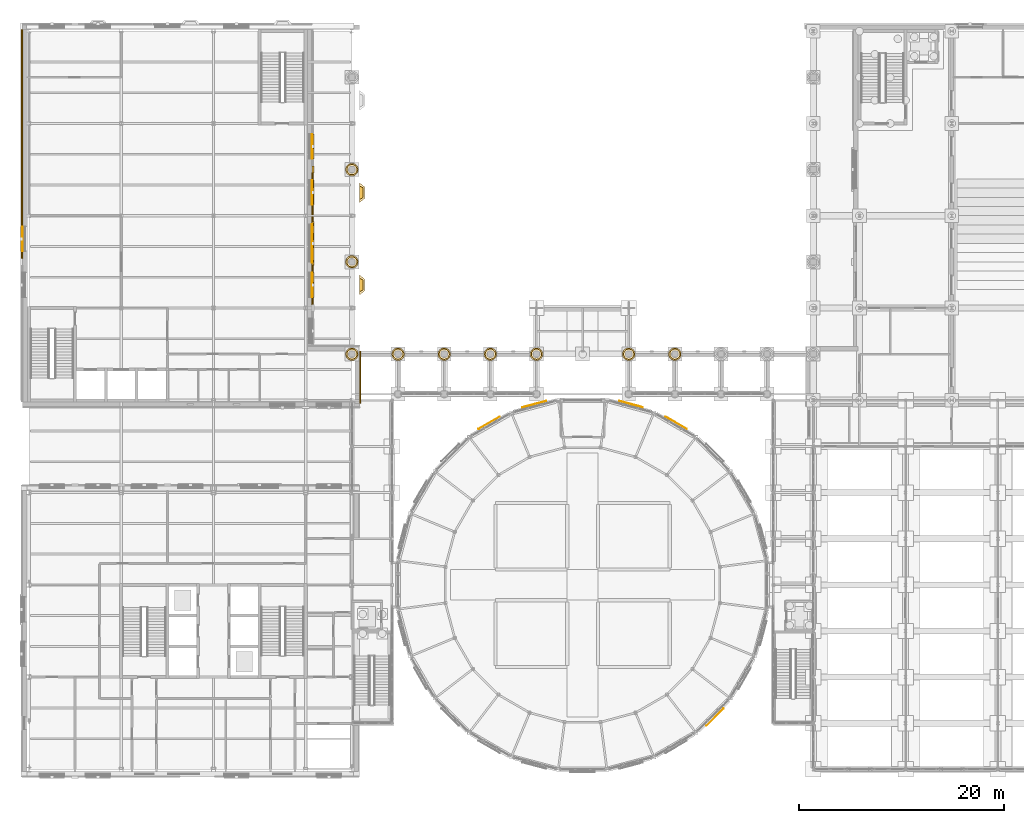
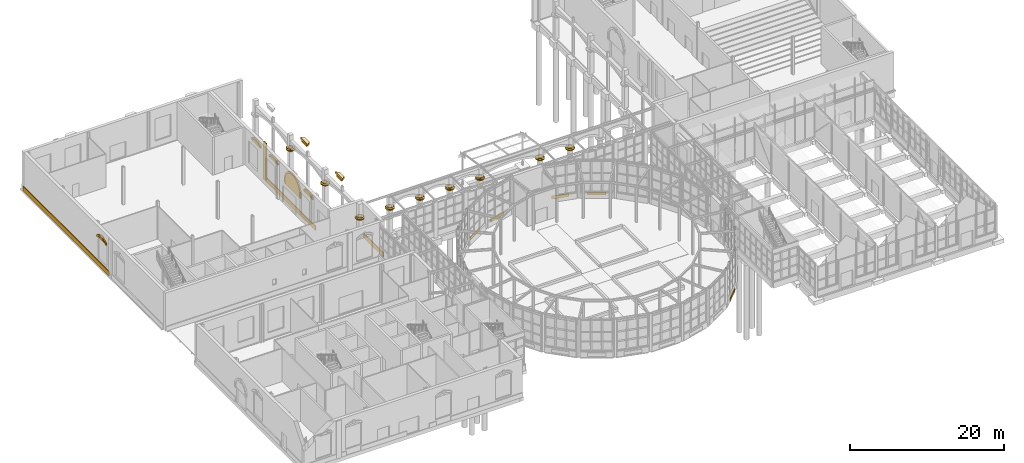
# One storey, part 95 of 106: 32 coverings.
"""IFC4 building model written with IfcOpenShell, lengths in metres."""

import ifcopenshell
import ifcopenshell.guid

model = None  # the IFC model being written
_history = None  # IfcOwnerHistory: only IFC2X3 demands one
_inside = {}  # id of a spatial element -> (the spatial element, [elements in it])
_under = {}  # id of a project, library or spatial element -> (it, [spatial elements below it])
_declared = {}  # id of a project -> (the project, [libraries it declares])
_typed = {}  # id of a type object -> (the type object, [elements of that type])
_made_of = {}  # id of a material, layer set ... -> (it, [elements and type objects made of it])


def new_model(schema):
    """Start an empty IFC model of exactly this schema.

    Asked for "IFC4X3", IfcOpenShell would pick the latest addendum, in which some entities
    have other attributes; the version numbers below select the first issue.
    IFC2X3 requires an IfcOwnerHistory on every rooted entity: one is made here for all.
    """
    global model, _history
    if schema == "IFC4X3":
        model = ifcopenshell.file(schema_version=(4, 3, 0, 0))
    else:
        model = ifcopenshell.file(schema=schema)
    _inside.clear()
    _under.clear()
    _declared.clear()
    _typed.clear()
    _made_of.clear()
    _history = None
    if model.schema == "IFC2X3":
        org = make("IfcOrganization", Name="unknown")
        user = make(
            "IfcPersonAndOrganization",
            ThePerson=make("IfcPerson", FamilyName="unknown"),
            TheOrganization=org,
        )
        app = make(
            "IfcApplication",
            ApplicationDeveloper=org,
            Version="unknown",
            ApplicationFullName="unknown",
            ApplicationIdentifier="unknown",
        )
        _history = make(
            "IfcOwnerHistory",
            OwningUser=user,
            OwningApplication=app,
            ChangeAction="ADDED",
            CreationDate=0,
        )
    return model


def make(cls, **values):
    """One entity of the class cls with the attributes given. An attribute that is None is left unset."""
    return model.create_entity(
        cls, **{name: value for name, value in values.items() if value is not None}
    )


def entity(cls, *values):
    """Any entity or typed value of the class cls, its attributes in the order of the schema. None: left unset."""
    e = model.create_entity(cls)
    for i, value in enumerate(values):
        if value is not None:
            e[i] = value
    return e


def rooted(cls, **values):
    """An entity with a GlobalId (a new one), such as an element, a storey or a relation."""
    return make(cls, GlobalId=ifcopenshell.guid.new(), OwnerHistory=_history, **values)


def si_unit(unit_type, name, prefix=None):
    """IfcSIUnit, for example si_unit("LENGTHUNIT", "METRE", prefix="MILLI")."""
    return make("IfcSIUnit", UnitType=unit_type, Prefix=prefix, Name=name)


def assignment(units):
    """IfcUnitAssignment: the units of a project."""
    return None if units is None else make("IfcUnitAssignment", Units=units)


def point(xyz):
    """IfcCartesianPoint."""
    return None if xyz is None else make("IfcCartesianPoint", Coordinates=xyz)


def direction(xyz):
    """IfcDirection."""
    return None if xyz is None else make("IfcDirection", DirectionRatios=xyz)


def frame(location, z_axis=None, x_axis=None):
    """IfcAxis2Placement3D, a coordinate frame: its origin and axes. An axis left out is left unset."""
    return make(
        "IfcAxis2Placement3D",
        Location=point(location),
        Axis=direction(z_axis),
        RefDirection=direction(x_axis),
    )


def frame_2d(location, x_axis=None):
    """IfcAxis2Placement2D, a coordinate frame in the plane: its origin and x axis."""
    return make(
        "IfcAxis2Placement2D", Location=point(location), RefDirection=direction(x_axis)
    )


def origin():
    """The frame at (0, 0, 0) with its axes left unset."""
    return frame((0.0, 0.0, 0.0))


def origin_2d():
    """The frame at (0, 0) in the plane with its x axis left unset."""
    return frame_2d((0.0, 0.0))


def place(relative_to, where):
    """IfcLocalPlacement: puts the frame where relative to a parent placement (None: the world)."""
    return make(
        "IfcLocalPlacement", PlacementRelTo=relative_to, RelativePlacement=where
    )


def context(
    kind, dimensions, precision=None, world=None, true_north=None, identifier=None
):
    """IfcGeometricRepresentationContext, for example the 3D "Model" context."""
    return make(
        "IfcGeometricRepresentationContext",
        ContextIdentifier=identifier,
        ContextType=kind,
        CoordinateSpaceDimension=dimensions,
        Precision=precision,
        WorldCoordinateSystem=world,
        TrueNorth=true_north,
    )


def subcontext(parent, identifier, kind, view, scale=None):
    """IfcGeometricRepresentationSubContext, for example "Body" below "Model"."""
    return make(
        "IfcGeometricRepresentationSubContext",
        ContextIdentifier=identifier,
        ContextType=kind,
        ParentContext=parent,
        TargetScale=scale,
        TargetView=view,
    )


def project(units=None, contexts=None):
    """IfcProject with its units and contexts."""
    return rooted(
        "IfcProject",
        Name="project",
        RepresentationContexts=contexts,
        UnitsInContext=assignment(units),
    )


def spatial(cls, under=None, at=None, **own):
    """A site, building, storey or space (cls), placed at a placement, below another one or the project."""
    s = rooted(cls, ObjectPlacement=at, **own)
    if under is not None:
        _under.setdefault(under.id(), (under, []))[1].append(s)
    return s


def polyline(points):
    """IfcPolyline through the points."""
    return make("IfcPolyline", Points=[point(p) for p in points])


def profile(cls, at=None, kind="AREA", **sizes):
    """A parametric profile (cls). Its sizes go by their IFC names, for example OverallWidth=200.0."""
    return make(cls, ProfileType=kind, Position=at, **sizes)


def rectangle(**sizes):
    """IfcRectangleProfileDef."""
    return profile("IfcRectangleProfileDef", **sizes)


def outline(outer, holes=None, kind="AREA"):
    """IfcArbitraryClosedProfileDef: a profile drawn as a closed curve; with holes, ...WithVoids."""
    if holes is None:
        return make("IfcArbitraryClosedProfileDef", ProfileType=kind, OuterCurve=outer)
    return make(
        "IfcArbitraryProfileDefWithVoids",
        ProfileType=kind,
        OuterCurve=outer,
        InnerCurves=holes,
    )


def extrude(swept, where, along, depth):
    """IfcExtrudedAreaSolid: the profile swept, set in the frame where, extruded along a direction by depth."""
    return make(
        "IfcExtrudedAreaSolid",
        SweptArea=swept,
        Position=where,
        ExtrudedDirection=direction(along),
        Depth=depth,
    )


def shape(context_of_items, identifier, shape_type, items):
    """IfcShapeRepresentation: the items that make up one representation, for example the "Body"."""
    return make(
        "IfcShapeRepresentation",
        ContextOfItems=context_of_items,
        RepresentationIdentifier=identifier,
        RepresentationType=shape_type,
        Items=items,
    )


def material(Name=None, Category=None):
    """IfcMaterial."""
    return make("IfcMaterial", Name=Name, Category=Category)


def layer(
    of_material, thickness, ventilated=None, Name=None, Category=None, Priority=None
):
    """IfcMaterialLayer: one layer of a wall or slab, of a material (None: an air gap)."""
    return make(
        "IfcMaterialLayer",
        Material=of_material,
        LayerThickness=thickness,
        IsVentilated=ventilated,
        Name=Name,
        Category=Category,
        Priority=Priority,
    )


def layer_set(layers, Name=None):
    """IfcMaterialLayerSet."""
    return make("IfcMaterialLayerSet", MaterialLayers=layers, LayerSetName=Name)


def made_of(thing, what):
    """Note that an element or type object is made of a material, layer set ...; save() writes the relation."""
    if what is not None:
        _made_of.setdefault(what.id(), (what, []))[1].append(thing)
    return thing


def type_object(cls, material=None, **own):
    """A type object (cls), such as IfcWallType, which elements share."""
    return made_of(rooted(cls, **own), material)


def element(
    cls,
    number,
    at=None,
    inside=None,
    cuts=None,
    type_object=None,
    material=None,
    context=None,
    identifier="Body",
    shape_type=None,
    held_by="IfcProductDefinitionShape",
    body=None,
    shapes=None,
    **own,
):
    """One element of the class cls, such as IfcWall. Its Tag is "e" and its number.

    at: its placement. inside: the storey or other place that contains it. cuts: it is an
    opening in that element (IfcRelVoidsElement). A single representation is given by context,
    identifier, shape_type and body (its items); several are given by shapes. held_by: the class
    of the entity that holds the representations. save() writes the other relations.
    """
    e = rooted(cls, Tag="e%d" % number, ObjectPlacement=at, **own)
    if body is not None:
        shapes = [shape(context, identifier, shape_type, body)]
    if shapes is not None:
        e.Representation = make(held_by, Representations=shapes)
    if inside is not None:
        _inside.setdefault(inside.id(), (inside, []))[1].append(e)
    if cuts is not None:
        rooted(
            "IfcRelVoidsElement", RelatingBuildingElement=cuts, RelatedOpeningElement=e
        )
    if type_object is not None:
        _typed.setdefault(type_object.id(), (type_object, []))[1].append(e)
    return made_of(e, material)


def aggregate(whole, parts):
    """IfcRelAggregates: a whole, such as a stair, and the parts it consists of."""
    return rooted("IfcRelAggregates", RelatingObject=whole, RelatedObjects=parts)


def save(model, path):
    """Write the relations noted so far, then the file.

    IfcRelAggregates (storeys below a building ...), IfcRelContainedInSpatialStructure (elements
    in a storey), IfcRelDefinesByType, IfcRelAssociatesMaterial and IfcRelDeclares: one each for
    every whole, place, type object, material and project.
    """
    for whole, parts in _under.values():
        aggregate(whole, parts)
    for where, things in _inside.values():
        rooted(
            "IfcRelContainedInSpatialStructure",
            RelatedElements=things,
            RelatingStructure=where,
        )
    for kind, things in _typed.values():
        rooted("IfcRelDefinesByType", RelatedObjects=things, RelatingType=kind)
    for what, things in _made_of.values():
        rooted("IfcRelAssociatesMaterial", RelatedObjects=things, RelatingMaterial=what)
    for by, libraries in _declared.values():
        rooted("IfcRelDeclares", RelatingContext=by, RelatedDefinitions=libraries)
    model.write(path)


model = new_model("IFC4")

# Units and contexts
model_context = context("Model", 3, precision=1e-05, world=origin(), true_north=direction((0.0, 1.0)))
body_context = subcontext(model_context, "Body", "Model", "MODEL_VIEW")
ifc_project = project(units=[si_unit("LENGTHUNIT", "METRE"), si_unit("AREAUNIT", "SQUARE_METRE"), si_unit("VOLUMEUNIT", "CUBIC_METRE"), si_unit("PLANEANGLEUNIT", "RADIAN"), si_unit("MASSUNIT", "GRAM", prefix="KILO")], contexts=[model_context])

# Site, building, storey
site_placement = place(None, origin())
site = spatial("IfcSite", under=ifc_project, at=site_placement, CompositionType="ELEMENT")
building_placement = place(site_placement, origin())
building = spatial("IfcBuilding", under=site, at=building_placement, Name="Hortulan Conservatory and Botanical Research Centre", CompositionType="ELEMENT")
storey_placement = place(building_placement, origin())
storey = spatial("IfcBuildingStorey", under=building, at=storey_placement, Name="L00", CompositionType="ELEMENT", Elevation=0.0)

# Coverings
ifc_material_1 = material(Name="Sandstone masonry (Hawkesbury yellow block)", Category="masonry")
ifc_layer_1 = layer(ifc_material_1, 0.1201171875)
ifc_layer_set_1 = layer_set([ifc_layer_1], Name="Rusticated Sandstone Base Course 700x120")
covering_type_1 = type_object("IfcCoveringType", Name="Rusticated Sandstone Base Course 700x120", PredefinedType="CLADDING", material=ifc_layer_set_1)
covering_1_placement = place(storey_placement, frame((-0.66455078125, 60.9873046875, 0.0), z_axis=(0.0, 0.0, 1.0), x_axis=(0.0, 1.0, 0.0)))
element("IfcCovering", 1, at=covering_1_placement, inside=storey, type_object=covering_type_1, Name="String course", PredefinedType="CLADDING", context=body_context, shape_type="SweptSolid", body=[
    extrude(rectangle(XDim=22.33447265625, YDim=0.1201171875, at=origin_2d()), origin(), (0.0, 0.0, 1.0), 0.699951171875),
])
covering_2_placement = place(storey_placement, frame((27.66455078125, 51.75, 0.0), z_axis=(0.0, 0.0, 1.0), x_axis=(0.0, -1.0, 0.0)))
element("IfcCovering", 2, at=covering_2_placement, inside=storey, type_object=covering_type_1, Name="String course", PredefinedType="CLADDING", context=body_context, shape_type="SweptSolid", body=[
    extrude(rectangle(XDim=12.860107421875, YDim=0.1201171875, at=origin_2d()), origin(), (0.0, 0.0, 1.0), 0.699951171875),
])
covering_3_placement = place(storey_placement, frame((32.31005859375, 38.25, 0.0), z_axis=(0.0, 0.0, 1.0), x_axis=(0.0, -1.0, 0.0)))
element("IfcCovering", 3, at=covering_3_placement, inside=storey, type_object=covering_type_1, Name="String course", PredefinedType="CLADDING", context=body_context, shape_type="SweptSolid", body=[
    extrude(rectangle(XDim=5.10009765625, YDim=0.1201171875, at=origin_2d()), origin(), (0.0, 0.0, 1.0), 0.699951171875),
])
ifc_layer_2 = layer(ifc_material_1, 0.179931640625)
ifc_layer_set_2 = layer_set([ifc_layer_2], Name="Sandstone Arch Band 250")
covering_type_2 = type_object("IfcCoveringType", Name="Sandstone Arch Band 250", PredefinedType="CLADDING", material=ifc_layer_set_2)
for number, where, z_axis, x_axis, name in (
    (4, (-0.694580078125, 50.550048828125, 4.39990234375), (0.0, 0.0, 1.0), (0.0, 1.0, 0.0), "Arched window head"),
    (5, (27.694580078125, 48.449951171875, 4.39990234375), (0.0, 0.0, 1.0), (0.0, -1.0, 0.0), "Arched window head"),
    (6, (27.694580078125, 57.449951171875, 4.39990234375), (0.0, 0.0, 1.0), (0.0, -1.0, 0.0), "Arched window head"),
    (7, (27.694580078125, 61.949951171875, 4.39990234375), (0.0, 0.0, 1.0), (0.0, -1.0, 0.0), "Arched window head"),
):
    element("IfcCovering", number, at=place(storey_placement, frame(where, z_axis=z_axis, x_axis=x_axis)), inside=storey, type_object=covering_type_2, Name=name, PredefinedType="CLADDING", context=body_context, shape_type="SweptSolid", body=[
        extrude(outline(polyline([(0.0, 0.0), (0.239990234375, 0.17724609375), (0.47998046875, 0.302001953125), (0.719970703125, 0.3857421875), (0.9599609375, 0.434326171875), (1.199951171875, 0.4501953125), (1.43994140625, 0.434326171875), (1.679931640625, 0.3857421875), (1.919921875, 0.302001953125), (2.159912109375, 0.17724609375), (2.39990234375, 0.0), (2.39990234375, 0.31787109375), (2.159912109375, 0.464599609375), (1.919921875, 0.5712890625), (1.679931640625, 0.643798828125), (1.43994140625, 0.686279296875), (1.199951171875, 0.7001953125), (0.9599609375, 0.686279296875), (0.719970703125, 0.643798828125), (0.47998046875, 0.5712890625), (0.239990234375, 0.464599609375), (0.0, 0.31787109375), (0.0, 0.0)])), frame((0.0, 0.08984375, 0.0), z_axis=(0.0, -1.0, 0.0), x_axis=(1.0, 0.0, 0.0)), (0.0, 0.0, 1.0), 0.179931640625),
    ])
ifc_layer_3 = layer(ifc_material_1, 0.179931640625)
ifc_layer_set_3 = layer_set([ifc_layer_3], Name="Sandstone Horseshoe Band 250")
covering_type_3 = type_object("IfcCoveringType", Name="Sandstone Horseshoe Band 250", PredefinedType="CLADDING", material=ifc_layer_set_3)
covering_4_placement = place(storey_placement, frame((27.694580078125, 53.442626953125, 2.622802734375), z_axis=(0.0, 0.0, 1.0), x_axis=(0.0, -1.0, 0.0)))
element("IfcCovering", 8, at=covering_4_placement, inside=storey, type_object=covering_type_3, Name="Horseshoe entrance head", PredefinedType="CLADDING", context=body_context, shape_type="SweptSolid", body=[
    extrude(outline(polyline([(0.342529296875, 0.0771484375), (0.260498046875, 0.464111328125), (0.260498046875, 0.85986328125), (0.342529296875, 1.246826171875), (0.503662109375, 1.6083984375), (0.736083984375, 1.928466796875), (1.0302734375, 2.193115234375), (1.372802734375, 2.39111328125), (1.7490234375, 2.51318359375), (2.142578125, 2.5546875), (2.5361328125, 2.51318359375), (2.912353515625, 2.39111328125), (3.255126953125, 2.193115234375), (3.549072265625, 1.928466796875), (3.78173828125, 1.6083984375), (3.942626953125, 1.246826171875), (4.02490234375, 0.85986328125), (4.02490234375, 0.464111328125), (3.942626953125, 0.0771484375), (4.180419921875, 0.0), (4.2734375, 0.43798828125), (4.2734375, 0.885986328125), (4.180419921875, 1.32421875), (3.998291015625, 1.7333984375), (3.73486328125, 2.095703125), (3.402099609375, 2.3955078125), (3.01416015625, 2.619384765625), (2.588134765625, 2.7578125), (2.142578125, 2.8046875), (1.697265625, 2.7578125), (1.27099609375, 2.619384765625), (0.88330078125, 2.3955078125), (0.55029296875, 2.095703125), (0.287109375, 1.7333984375), (0.10498046875, 1.32421875), (0.01171875, 0.885986328125), (0.01171875, 0.43798828125), (0.10498046875, 0.0), (0.342529296875, 0.0771484375)])), frame((0.0, 0.08984375, 0.0), z_axis=(0.0, -1.0, 0.0), x_axis=(1.0, 0.0, 0.0)), (0.0, 0.0, 1.0), 0.179931640625),
])
covering_type_4 = type_object("IfcCoveringType", Name="Sandstone Mushroom Capital 1240", PredefinedType="CLADDING", material=ifc_material_1)
covering_5_placement = place(storey_placement, origin())
cartesian_point_1 = entity("IfcCartesianPoint", [0.300048828125, 0.0])
element("IfcCovering", 9, at=covering_5_placement, inside=storey, type_object=covering_type_4, Name="Mushroom capital", PredefinedType="CLADDING", context=body_context, shape_type="SweptSolid", body=[
    entity("IfcRevolvedAreaSolid", entity("IfcArbitraryClosedProfileDef", "AREA", None, entity("IfcPolyline", [cartesian_point_1, entity("IfcCartesianPoint", [0.5, 0.0]), entity("IfcCartesianPoint", [0.6201171875, 0.1201171875]), entity("IfcCartesianPoint", [0.6201171875, 0.280029296875]), entity("IfcCartesianPoint", [0.5, 0.39990234375]), entity("IfcCartesianPoint", [0.300048828125, 0.39990234375]), cartesian_point_1])), entity("IfcAxis2Placement3D", entity("IfcCartesianPoint", [36.0, 40.5, 3.5]), entity("IfcDirection", [0.0, -1.0, 0.0]), entity("IfcDirection", [1.0, 0.0, 0.0])), entity("IfcAxis1Placement", entity("IfcCartesianPoint", [0.0, 0.0, 0.0]), entity("IfcDirection", [0.0, 1.0, 0.0])), 6.283185307179586),
])
covering_6_placement = place(storey_placement, origin())
cartesian_point_2 = entity("IfcCartesianPoint", [0.300048828125, 0.0])
element("IfcCovering", 10, at=covering_6_placement, inside=storey, type_object=covering_type_4, Name="Mushroom capital", PredefinedType="CLADDING", context=body_context, shape_type="SweptSolid", body=[
    entity("IfcRevolvedAreaSolid", entity("IfcArbitraryClosedProfileDef", "AREA", None, entity("IfcPolyline", [cartesian_point_2, entity("IfcCartesianPoint", [0.5, 0.0]), entity("IfcCartesianPoint", [0.6201171875, 0.1201171875]), entity("IfcCartesianPoint", [0.6201171875, 0.280029296875]), entity("IfcCartesianPoint", [0.5, 0.39990234375]), entity("IfcCartesianPoint", [0.300048828125, 0.39990234375]), cartesian_point_2])), entity("IfcAxis2Placement3D", entity("IfcCartesianPoint", [40.5, 40.5, 3.5]), entity("IfcDirection", [0.0, -1.0, 0.0]), entity("IfcDirection", [1.0, 0.0, 0.0])), entity("IfcAxis1Placement", entity("IfcCartesianPoint", [0.0, 0.0, 0.0]), entity("IfcDirection", [0.0, 1.0, 0.0])), 6.283185307179586),
])
covering_7_placement = place(storey_placement, origin())
cartesian_point_3 = entity("IfcCartesianPoint", [0.300048828125, 0.0])
element("IfcCovering", 11, at=covering_7_placement, inside=storey, type_object=covering_type_4, Name="Mushroom capital", PredefinedType="CLADDING", context=body_context, shape_type="SweptSolid", body=[
    entity("IfcRevolvedAreaSolid", entity("IfcArbitraryClosedProfileDef", "AREA", None, entity("IfcPolyline", [cartesian_point_3, entity("IfcCartesianPoint", [0.5, 0.0]), entity("IfcCartesianPoint", [0.6201171875, 0.1201171875]), entity("IfcCartesianPoint", [0.6201171875, 0.280029296875]), entity("IfcCartesianPoint", [0.5, 0.39990234375]), entity("IfcCartesianPoint", [0.300048828125, 0.39990234375]), cartesian_point_3])), entity("IfcAxis2Placement3D", entity("IfcCartesianPoint", [45.0, 40.5, 3.5]), entity("IfcDirection", [0.0, -1.0, 0.0]), entity("IfcDirection", [1.0, 0.0, 0.0])), entity("IfcAxis1Placement", entity("IfcCartesianPoint", [0.0, 0.0, 0.0]), entity("IfcDirection", [0.0, 1.0, 0.0])), 6.283185307179586),
])
covering_8_placement = place(storey_placement, origin())
cartesian_point_4 = entity("IfcCartesianPoint", [0.300048828125, 0.0])
element("IfcCovering", 12, at=covering_8_placement, inside=storey, type_object=covering_type_4, Name="Mushroom capital", PredefinedType="CLADDING", context=body_context, shape_type="SweptSolid", body=[
    entity("IfcRevolvedAreaSolid", entity("IfcArbitraryClosedProfileDef", "AREA", None, entity("IfcPolyline", [cartesian_point_4, entity("IfcCartesianPoint", [0.5, 0.0]), entity("IfcCartesianPoint", [0.6201171875, 0.1201171875]), entity("IfcCartesianPoint", [0.6201171875, 0.280029296875]), entity("IfcCartesianPoint", [0.5, 0.39990234375]), entity("IfcCartesianPoint", [0.300048828125, 0.39990234375]), cartesian_point_4])), entity("IfcAxis2Placement3D", entity("IfcCartesianPoint", [49.5, 40.5, 3.5]), entity("IfcDirection", [0.0, -1.0, 0.0]), entity("IfcDirection", [1.0, 0.0, 0.0])), entity("IfcAxis1Placement", entity("IfcCartesianPoint", [0.0, 0.0, 0.0]), entity("IfcDirection", [0.0, 1.0, 0.0])), 6.283185307179586),
])
covering_9_placement = place(storey_placement, origin())
cartesian_point_5 = entity("IfcCartesianPoint", [0.300048828125, 0.0])
element("IfcCovering", 13, at=covering_9_placement, inside=storey, type_object=covering_type_4, Name="Mushroom capital", PredefinedType="CLADDING", context=body_context, shape_type="SweptSolid", body=[
    entity("IfcRevolvedAreaSolid", entity("IfcArbitraryClosedProfileDef", "AREA", None, entity("IfcPolyline", [cartesian_point_5, entity("IfcCartesianPoint", [0.5, 0.0]), entity("IfcCartesianPoint", [0.6201171875, 0.1201171875]), entity("IfcCartesianPoint", [0.6201171875, 0.280029296875]), entity("IfcCartesianPoint", [0.5, 0.39990234375]), entity("IfcCartesianPoint", [0.300048828125, 0.39990234375]), cartesian_point_5])), entity("IfcAxis2Placement3D", entity("IfcCartesianPoint", [58.5, 40.5, 3.5]), entity("IfcDirection", [0.0, -1.0, 0.0]), entity("IfcDirection", [1.0, 0.0, 0.0])), entity("IfcAxis1Placement", entity("IfcCartesianPoint", [0.0, 0.0, 0.0]), entity("IfcDirection", [0.0, 1.0, 0.0])), 6.283185307179586),
])
covering_10_placement = place(storey_placement, origin())
cartesian_point_6 = entity("IfcCartesianPoint", [0.300048828125, 0.0])
element("IfcCovering", 14, at=covering_10_placement, inside=storey, type_object=covering_type_4, Name="Mushroom capital", PredefinedType="CLADDING", context=body_context, shape_type="SweptSolid", body=[
    entity("IfcRevolvedAreaSolid", entity("IfcArbitraryClosedProfileDef", "AREA", None, entity("IfcPolyline", [cartesian_point_6, entity("IfcCartesianPoint", [0.5, 0.0]), entity("IfcCartesianPoint", [0.6201171875, 0.1201171875]), entity("IfcCartesianPoint", [0.6201171875, 0.280029296875]), entity("IfcCartesianPoint", [0.5, 0.39990234375]), entity("IfcCartesianPoint", [0.300048828125, 0.39990234375]), cartesian_point_6])), entity("IfcAxis2Placement3D", entity("IfcCartesianPoint", [63.0, 40.5, 3.5]), entity("IfcDirection", [0.0, -1.0, 0.0]), entity("IfcDirection", [1.0, 0.0, 0.0])), entity("IfcAxis1Placement", entity("IfcCartesianPoint", [0.0, 0.0, 0.0]), entity("IfcDirection", [0.0, 1.0, 0.0])), 6.283185307179586),
])
covering_11_placement = place(storey_placement, origin())
cartesian_point_7 = entity("IfcCartesianPoint", [0.300048828125, 0.0])
element("IfcCovering", 15, at=covering_11_placement, inside=storey, type_object=covering_type_4, Name="Mushroom capital", PredefinedType="CLADDING", context=body_context, shape_type="SweptSolid", body=[
    entity("IfcRevolvedAreaSolid", entity("IfcArbitraryClosedProfileDef", "AREA", None, entity("IfcPolyline", [cartesian_point_7, entity("IfcCartesianPoint", [0.5, 0.0]), entity("IfcCartesianPoint", [0.6201171875, 0.1201171875]), entity("IfcCartesianPoint", [0.6201171875, 0.280029296875]), entity("IfcCartesianPoint", [0.5, 0.39990234375]), entity("IfcCartesianPoint", [0.300048828125, 0.39990234375]), cartesian_point_7])), entity("IfcAxis2Placement3D", entity("IfcCartesianPoint", [31.5, 40.5, 3.5]), entity("IfcDirection", [0.0, -1.0, 0.0]), entity("IfcDirection", [1.0, 0.0, 0.0])), entity("IfcAxis1Placement", entity("IfcCartesianPoint", [0.0, 0.0, 0.0]), entity("IfcDirection", [0.0, 1.0, 0.0])), 6.283185307179586),
])
covering_12_placement = place(storey_placement, origin())
cartesian_point_8 = entity("IfcCartesianPoint", [0.300048828125, 0.0])
element("IfcCovering", 16, at=covering_12_placement, inside=storey, type_object=covering_type_4, Name="Mushroom capital", PredefinedType="CLADDING", context=body_context, shape_type="SweptSolid", body=[
    entity("IfcRevolvedAreaSolid", entity("IfcArbitraryClosedProfileDef", "AREA", None, entity("IfcPolyline", [cartesian_point_8, entity("IfcCartesianPoint", [0.5, 0.0]), entity("IfcCartesianPoint", [0.6201171875, 0.1201171875]), entity("IfcCartesianPoint", [0.6201171875, 0.280029296875]), entity("IfcCartesianPoint", [0.5, 0.39990234375]), entity("IfcCartesianPoint", [0.300048828125, 0.39990234375]), cartesian_point_8])), entity("IfcAxis2Placement3D", entity("IfcCartesianPoint", [31.5, 49.5, 3.5]), entity("IfcDirection", [0.0, -1.0, 0.0]), entity("IfcDirection", [1.0, 0.0, 0.0])), entity("IfcAxis1Placement", entity("IfcCartesianPoint", [0.0, 0.0, 0.0]), entity("IfcDirection", [0.0, 1.0, 0.0])), 6.283185307179586),
])
covering_13_placement = place(storey_placement, origin())
cartesian_point_9 = entity("IfcCartesianPoint", [0.300048828125, 0.0])
element("IfcCovering", 17, at=covering_13_placement, inside=storey, type_object=covering_type_4, Name="Mushroom capital", PredefinedType="CLADDING", context=body_context, shape_type="SweptSolid", body=[
    entity("IfcRevolvedAreaSolid", entity("IfcArbitraryClosedProfileDef", "AREA", None, entity("IfcPolyline", [cartesian_point_9, entity("IfcCartesianPoint", [0.5, 0.0]), entity("IfcCartesianPoint", [0.6201171875, 0.1201171875]), entity("IfcCartesianPoint", [0.6201171875, 0.280029296875]), entity("IfcCartesianPoint", [0.5, 0.39990234375]), entity("IfcCartesianPoint", [0.300048828125, 0.39990234375]), cartesian_point_9])), entity("IfcAxis2Placement3D", entity("IfcCartesianPoint", [31.5, 58.5, 3.5]), entity("IfcDirection", [0.0, -1.0, 0.0]), entity("IfcDirection", [1.0, 0.0, 0.0])), entity("IfcAxis1Placement", entity("IfcCartesianPoint", [0.0, 0.0, 0.0]), entity("IfcDirection", [0.0, 1.0, 0.0])), 6.283185307179586),
])
covering_type_5 = type_object("IfcCoveringType", Name="Sandstone Oriel Corbel", PredefinedType="CLADDING", material=ifc_material_1)
covering_14_placement = place(storey_placement, frame((0.0, 0.0, 5.699951171875)))
element("IfcCovering", 18, at=covering_14_placement, inside=storey, type_object=covering_type_5, Name="Oriel corbel", PredefinedType="CLADDING", context=body_context, shape_type="SweptSolid", body=[
    extrude(outline(polyline([(32.25, 48.2099609375), (32.72998046875, 47.825927734375), (32.72998046875, 46.674072265625), (32.25, 46.2900390625), (32.25, 48.2099609375)])), origin(), (0.0, 0.0, 1.0), 0.300048828125),
])
covering_15_placement = place(storey_placement, frame((0.0, 0.0, 5.39990234375)))
element("IfcCovering", 19, at=covering_15_placement, inside=storey, type_object=covering_type_5, Name="Oriel corbel", PredefinedType="CLADDING", context=body_context, shape_type="SweptSolid", body=[
    extrude(outline(polyline([(32.25, 47.909912109375), (32.580078125, 47.728515625), (32.580078125, 46.771484375), (32.25, 46.590087890625), (32.25, 47.909912109375)])), origin(), (0.0, 0.0, 1.0), 0.300048828125),
])
covering_16_placement = place(storey_placement, frame((0.0, 0.0, 5.699951171875)))
element("IfcCovering", 20, at=covering_16_placement, inside=storey, type_object=covering_type_5, Name="Oriel corbel", PredefinedType="CLADDING", context=body_context, shape_type="SweptSolid", body=[
    extrude(outline(polyline([(32.25, 57.2099609375), (32.72998046875, 56.825927734375), (32.72998046875, 55.674072265625), (32.25, 55.2900390625), (32.25, 57.2099609375)])), origin(), (0.0, 0.0, 1.0), 0.300048828125),
])
covering_17_placement = place(storey_placement, frame((0.0, 0.0, 5.39990234375)))
element("IfcCovering", 21, at=covering_17_placement, inside=storey, type_object=covering_type_5, Name="Oriel corbel", PredefinedType="CLADDING", context=body_context, shape_type="SweptSolid", body=[
    extrude(outline(polyline([(32.25, 56.909912109375), (32.580078125, 56.728515625), (32.580078125, 55.771484375), (32.25, 55.590087890625), (32.25, 56.909912109375)])), origin(), (0.0, 0.0, 1.0), 0.300048828125),
])
ifc_layer_4 = layer(ifc_material_1, 0.199951171875)
ifc_layer_set_4 = layer_set([ifc_layer_4], Name="Sandstone Pilaster 700x200")
covering_type_6 = type_object("IfcCoveringType", Name="Sandstone Pilaster 700x200", PredefinedType="CLADDING", material=ifc_layer_set_4)
covering_18_placement = place(storey_placement, frame((27.70458984375, 58.5, 0.0), z_axis=(0.0, 0.0, 1.0), x_axis=(0.0, -1.0, 0.0)))
element("IfcCovering", 22, at=covering_18_placement, inside=storey, type_object=covering_type_6, Name="Pier", PredefinedType="CLADDING", context=body_context, shape_type="SweptSolid", body=[
    extrude(rectangle(XDim=0.699951171875, YDim=0.199951171875, at=origin_2d()), origin(), (0.0, 0.0, 1.0), 6.0),
])
ifc_layer_5 = layer(ifc_material_1, 0.0400390625)
ifc_layer_set_5 = layer_set([ifc_layer_5], Name="Sandstone Relief Panel 40")
covering_type_7 = type_object("IfcCoveringType", Name="Sandstone Relief Panel 40", PredefinedType="CLADDING", material=ifc_layer_set_5)
for number, where, z_axis, x_axis, name in (
    (23, (63.12255859375, 33.80078125, 0.199951171875), (0.0, 0.0, 1.0), (0.86603587557, -0.499981861897, 0.0), "Relief panel"),
    (24, (58.722412109375, 35.623291015625, 0.199951171875), (0.0, 0.0, 1.0), (0.965924922834, -0.258822416818, 0.0), "Relief panel"),
    (25, (49.277587890625, 35.623291015625, 0.199951171875), (0.0, 0.0, 1.0), (0.965924922834, 0.258822416818, 0.0), "Relief panel"),
    (26, (44.87744140625, 33.80078125, 0.199951171875), (0.0, 0.0, 1.0), (0.86603587557, 0.499981861897, 0.0), "Relief panel"),
    (27, (66.901123046875, 5.098876953125, 0.199951171875), (0.0, 0.0, 1.0), (-0.707106781187, -0.707106781187, 0.0), "Relief panel"),
):
    element("IfcCovering", number, at=place(storey_placement, frame(where, z_axis=z_axis, x_axis=x_axis)), inside=storey, type_object=covering_type_7, Name=name, PredefinedType="CLADDING", context=body_context, shape_type="SweptSolid", body=[
        extrude(rectangle(XDim=2.39990234375, YDim=0.0400390625, at=origin_2d()), origin(), (0.0, 0.0, 1.0), 0.5),
    ])
ifc_material_2 = material(Name="Faience cladding, harbour teal glaze (non-combustible)", Category="ceramic")
ifc_layer_6 = layer(ifc_material_2, 0.0400390625)
ifc_layer_set_6 = layer_set([ifc_layer_6], Name="Teal Faience Tympanum 40")
covering_type_8 = type_object("IfcCoveringType", Name="Teal Faience Tympanum 40", PredefinedType="CLADDING", material=ifc_layer_set_6)
for number, where, z_axis, x_axis, name in (
    (28, (-0.62451171875, 50.550048828125, 4.39990234375), (0.0, 0.0, 1.0), (0.0, 1.0, 0.0), "Faience tympanum"),
    (29, (27.62451171875, 48.449951171875, 4.39990234375), (0.0, 0.0, 1.0), (0.0, -1.0, 0.0), "Faience tympanum"),
    (30, (27.62451171875, 57.449951171875, 4.39990234375), (0.0, 0.0, 1.0), (0.0, -1.0, 0.0), "Faience tympanum"),
    (31, (27.62451171875, 61.949951171875, 4.39990234375), (0.0, 0.0, 1.0), (0.0, -1.0, 0.0), "Faience tympanum"),
):
    element("IfcCovering", number, at=place(storey_placement, frame(where, z_axis=z_axis, x_axis=x_axis)), inside=storey, type_object=covering_type_8, Name=name, PredefinedType="CLADDING", context=body_context, shape_type="SweptSolid", body=[
        extrude(outline(polyline([(0.0, 0.0), (0.239990234375, 0.17724609375), (0.47998046875, 0.302001953125), (0.719970703125, 0.3857421875), (0.9599609375, 0.434326171875), (1.199951171875, 0.4501953125), (1.43994140625, 0.434326171875), (1.679931640625, 0.3857421875), (1.919921875, 0.302001953125), (2.159912109375, 0.17724609375), (2.39990234375, 0.0), (2.39990234375, 0.0), (0.0, 0.0), (0.0, 0.0)])), frame((0.0, 0.02001953125, 0.0), z_axis=(0.0, -1.0, 0.0), x_axis=(1.0, 0.0, 0.0)), (0.0, 0.0, 1.0), 0.0400390625),
    ])
covering_19_placement = place(storey_placement, frame((27.62451171875, 53.442626953125, 2.699951171875), z_axis=(0.0, 0.0, 1.0), x_axis=(0.0, -1.0, 0.0)))
element("IfcCovering", 32, at=covering_19_placement, inside=storey, type_object=covering_type_8, Name="Faience tympanum", PredefinedType="CLADDING", context=body_context, shape_type="SweptSolid", body=[
    extrude(outline(polyline([(0.342529296875, 0.0), (0.260498046875, 0.386962890625), (0.260498046875, 0.78271484375), (0.342529296875, 1.169677734375), (0.503662109375, 1.53125), (0.736083984375, 1.851318359375), (1.0302734375, 2.115966796875), (1.372802734375, 2.31396484375), (1.7490234375, 2.43603515625), (2.142578125, 2.4775390625), (2.5361328125, 2.43603515625), (2.912353515625, 2.31396484375), (3.255126953125, 2.115966796875), (3.549072265625, 1.851318359375), (3.78173828125, 1.53125), (3.942626953125, 1.169677734375), (4.02490234375, 0.78271484375), (4.02490234375, 0.386962890625), (3.942626953125, 0.0), (3.942626953125, 0.0), (0.342529296875, 0.0), (0.342529296875, 0.0)])), frame((0.0, 0.02001953125, 0.0), z_axis=(0.0, -1.0, 0.0), x_axis=(1.0, 0.0, 0.0)), (0.0, 0.0, 1.0), 0.0400390625),
])

save(model, "model.ifc")
